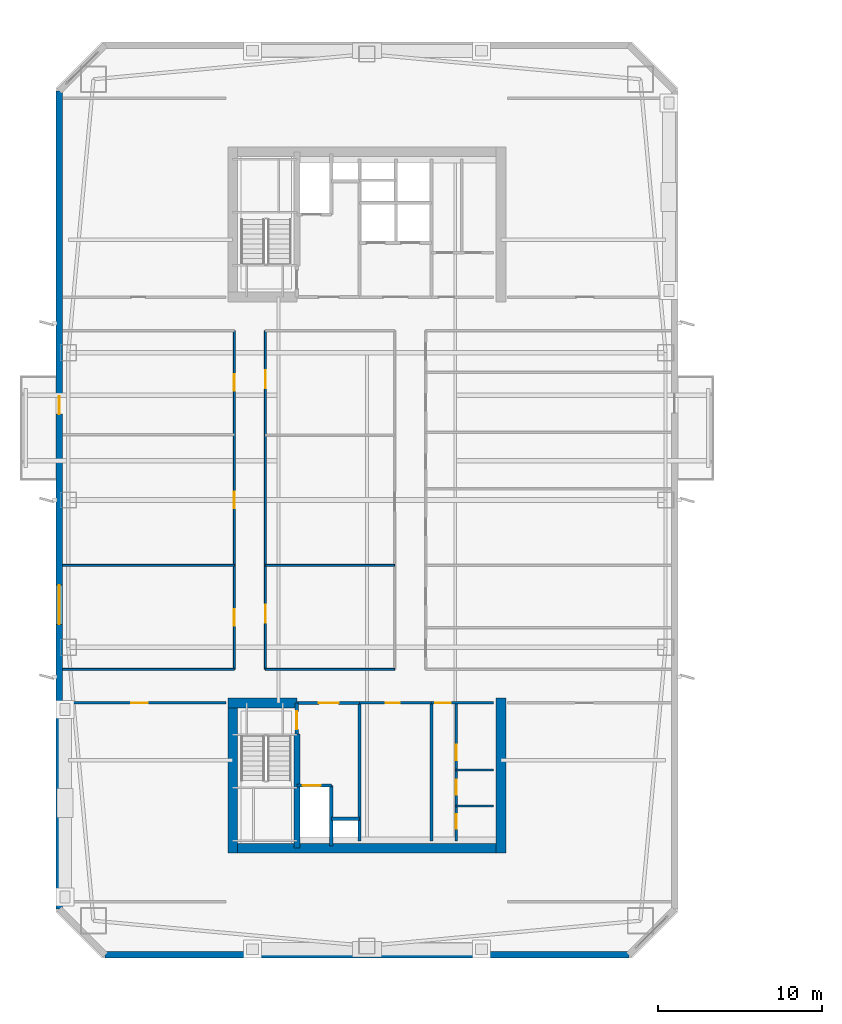
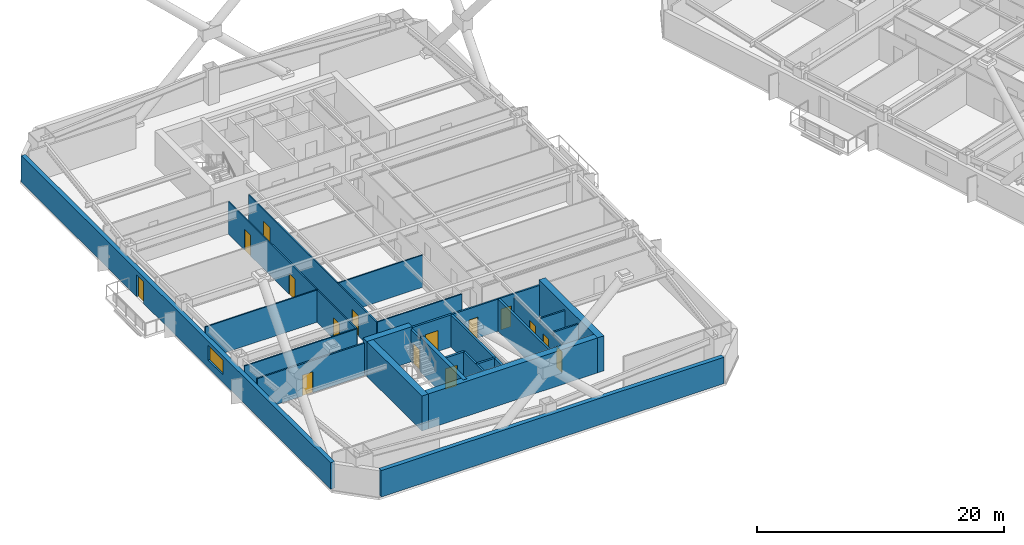
# One storey, part 12 of 24: 26 walls, 15 doors, 1 window, 16 openings.
"""IFC4 building model written with IfcOpenShell, lengths in metres."""

import ifcopenshell
import ifcopenshell.guid

model = None  # the IFC model being written
_history = None  # IfcOwnerHistory: only IFC2X3 demands one
_inside = {}  # id of a spatial element -> (the spatial element, [elements in it])
_under = {}  # id of a project, library or spatial element -> (it, [spatial elements below it])
_declared = {}  # id of a project -> (the project, [libraries it declares])
_typed = {}  # id of a type object -> (the type object, [elements of that type])
_made_of = {}  # id of a material, layer set ... -> (it, [elements and type objects made of it])


def new_model(schema):
    """Start an empty IFC model of exactly this schema.

    Asked for "IFC4X3", IfcOpenShell would pick the latest addendum, in which some entities
    have other attributes; the version numbers below select the first issue.
    IFC2X3 requires an IfcOwnerHistory on every rooted entity: one is made here for all.
    """
    global model, _history
    if schema == "IFC4X3":
        model = ifcopenshell.file(schema_version=(4, 3, 0, 0))
    else:
        model = ifcopenshell.file(schema=schema)
    _inside.clear()
    _under.clear()
    _declared.clear()
    _typed.clear()
    _made_of.clear()
    _history = None
    if model.schema == "IFC2X3":
        org = make("IfcOrganization", Name="unknown")
        user = make(
            "IfcPersonAndOrganization",
            ThePerson=make("IfcPerson", FamilyName="unknown"),
            TheOrganization=org,
        )
        app = make(
            "IfcApplication",
            ApplicationDeveloper=org,
            Version="unknown",
            ApplicationFullName="unknown",
            ApplicationIdentifier="unknown",
        )
        _history = make(
            "IfcOwnerHistory",
            OwningUser=user,
            OwningApplication=app,
            ChangeAction="ADDED",
            CreationDate=0,
        )
    return model


def make(cls, **values):
    """One entity of the class cls with the attributes given. An attribute that is None is left unset."""
    return model.create_entity(
        cls, **{name: value for name, value in values.items() if value is not None}
    )


def rooted(cls, **values):
    """An entity with a GlobalId (a new one), such as an element, a storey or a relation."""
    return make(cls, GlobalId=ifcopenshell.guid.new(), OwnerHistory=_history, **values)


def si_unit(unit_type, name, prefix=None):
    """IfcSIUnit, for example si_unit("LENGTHUNIT", "METRE", prefix="MILLI")."""
    return make("IfcSIUnit", UnitType=unit_type, Prefix=prefix, Name=name)


def assignment(units):
    """IfcUnitAssignment: the units of a project."""
    return None if units is None else make("IfcUnitAssignment", Units=units)


def point(xyz):
    """IfcCartesianPoint."""
    return None if xyz is None else make("IfcCartesianPoint", Coordinates=xyz)


def direction(xyz):
    """IfcDirection."""
    return None if xyz is None else make("IfcDirection", DirectionRatios=xyz)


def frame(location, z_axis=None, x_axis=None):
    """IfcAxis2Placement3D, a coordinate frame: its origin and axes. An axis left out is left unset."""
    return make(
        "IfcAxis2Placement3D",
        Location=point(location),
        Axis=direction(z_axis),
        RefDirection=direction(x_axis),
    )


def frame_2d(location, x_axis=None):
    """IfcAxis2Placement2D, a coordinate frame in the plane: its origin and x axis."""
    return make(
        "IfcAxis2Placement2D", Location=point(location), RefDirection=direction(x_axis)
    )


def origin():
    """The frame at (0, 0, 0) with its axes left unset."""
    return frame((0.0, 0.0, 0.0))


def place(relative_to, where):
    """IfcLocalPlacement: puts the frame where relative to a parent placement (None: the world)."""
    return make(
        "IfcLocalPlacement", PlacementRelTo=relative_to, RelativePlacement=where
    )


def context(
    kind, dimensions, precision=None, world=None, true_north=None, identifier=None
):
    """IfcGeometricRepresentationContext, for example the 3D "Model" context."""
    return make(
        "IfcGeometricRepresentationContext",
        ContextIdentifier=identifier,
        ContextType=kind,
        CoordinateSpaceDimension=dimensions,
        Precision=precision,
        WorldCoordinateSystem=world,
        TrueNorth=true_north,
    )


def subcontext(parent, identifier, kind, view, scale=None):
    """IfcGeometricRepresentationSubContext, for example "Body" below "Model"."""
    return make(
        "IfcGeometricRepresentationSubContext",
        ContextIdentifier=identifier,
        ContextType=kind,
        ParentContext=parent,
        TargetScale=scale,
        TargetView=view,
    )


def project(units=None, contexts=None):
    """IfcProject with its units and contexts."""
    return rooted(
        "IfcProject",
        Name="project",
        RepresentationContexts=contexts,
        UnitsInContext=assignment(units),
    )


def spatial(cls, under=None, at=None, **own):
    """A site, building, storey or space (cls), placed at a placement, below another one or the project."""
    s = rooted(cls, ObjectPlacement=at, **own)
    if under is not None:
        _under.setdefault(under.id(), (under, []))[1].append(s)
    return s


def profile(cls, at=None, kind="AREA", **sizes):
    """A parametric profile (cls). Its sizes go by their IFC names, for example OverallWidth=200.0."""
    return make(cls, ProfileType=kind, Position=at, **sizes)


def rectangle(**sizes):
    """IfcRectangleProfileDef."""
    return profile("IfcRectangleProfileDef", **sizes)


def extrude(swept, where, along, depth):
    """IfcExtrudedAreaSolid: the profile swept, set in the frame where, extruded along a direction by depth."""
    return make(
        "IfcExtrudedAreaSolid",
        SweptArea=swept,
        Position=where,
        ExtrudedDirection=direction(along),
        Depth=depth,
    )


def shape(context_of_items, identifier, shape_type, items):
    """IfcShapeRepresentation: the items that make up one representation, for example the "Body"."""
    return make(
        "IfcShapeRepresentation",
        ContextOfItems=context_of_items,
        RepresentationIdentifier=identifier,
        RepresentationType=shape_type,
        Items=items,
    )


def material(Name=None, Category=None):
    """IfcMaterial."""
    return make("IfcMaterial", Name=Name, Category=Category)


def layer(
    of_material, thickness, ventilated=None, Name=None, Category=None, Priority=None
):
    """IfcMaterialLayer: one layer of a wall or slab, of a material (None: an air gap)."""
    return make(
        "IfcMaterialLayer",
        Material=of_material,
        LayerThickness=thickness,
        IsVentilated=ventilated,
        Name=Name,
        Category=Category,
        Priority=Priority,
    )


def layer_set(layers, Name=None):
    """IfcMaterialLayerSet."""
    return make("IfcMaterialLayerSet", MaterialLayers=layers, LayerSetName=Name)


def made_of(thing, what):
    """Note that an element or type object is made of a material, layer set ...; save() writes the relation."""
    if what is not None:
        _made_of.setdefault(what.id(), (what, []))[1].append(thing)
    return thing


def type_object(cls, material=None, **own):
    """A type object (cls), such as IfcWallType, which elements share."""
    return made_of(rooted(cls, **own), material)


def element(
    cls,
    number,
    at=None,
    inside=None,
    cuts=None,
    type_object=None,
    material=None,
    context=None,
    identifier="Body",
    shape_type=None,
    held_by="IfcProductDefinitionShape",
    body=None,
    shapes=None,
    **own,
):
    """One element of the class cls, such as IfcWall. Its Tag is "e" and its number.

    at: its placement. inside: the storey or other place that contains it. cuts: it is an
    opening in that element (IfcRelVoidsElement). A single representation is given by context,
    identifier, shape_type and body (its items); several are given by shapes. held_by: the class
    of the entity that holds the representations. save() writes the other relations.
    """
    e = rooted(cls, Tag="e%d" % number, ObjectPlacement=at, **own)
    if body is not None:
        shapes = [shape(context, identifier, shape_type, body)]
    if shapes is not None:
        e.Representation = make(held_by, Representations=shapes)
    if inside is not None:
        _inside.setdefault(inside.id(), (inside, []))[1].append(e)
    if cuts is not None:
        rooted(
            "IfcRelVoidsElement", RelatingBuildingElement=cuts, RelatedOpeningElement=e
        )
    if type_object is not None:
        _typed.setdefault(type_object.id(), (type_object, []))[1].append(e)
    return made_of(e, material)


def fill(opening, filler):
    """IfcRelFillsElement: the door or window that sits in an opening."""
    return rooted(
        "IfcRelFillsElement",
        RelatingOpeningElement=opening,
        RelatedBuildingElement=filler,
    )


def aggregate(whole, parts):
    """IfcRelAggregates: a whole, such as a stair, and the parts it consists of."""
    return rooted("IfcRelAggregates", RelatingObject=whole, RelatedObjects=parts)


def save(model, path):
    """Write the relations noted so far, then the file.

    IfcRelAggregates (storeys below a building ...), IfcRelContainedInSpatialStructure (elements
    in a storey), IfcRelDefinesByType, IfcRelAssociatesMaterial and IfcRelDeclares: one each for
    every whole, place, type object, material and project.
    """
    for whole, parts in _under.values():
        aggregate(whole, parts)
    for where, things in _inside.values():
        rooted(
            "IfcRelContainedInSpatialStructure",
            RelatedElements=things,
            RelatingStructure=where,
        )
    for kind, things in _typed.values():
        rooted("IfcRelDefinesByType", RelatedObjects=things, RelatingType=kind)
    for what, things in _made_of.values():
        rooted("IfcRelAssociatesMaterial", RelatedObjects=things, RelatingMaterial=what)
    for by, libraries in _declared.values():
        rooted("IfcRelDeclares", RelatingContext=by, RelatedDefinitions=libraries)
    model.write(path)


model = new_model("IFC4")

# Units and contexts
model_context = context("Model", 3, precision=1e-05, world=origin(), true_north=direction((0.0, 1.0)))
body_context = subcontext(model_context, "Body", "Model", "MODEL_VIEW")
ifc_project = project(units=[si_unit("LENGTHUNIT", "METRE"), si_unit("AREAUNIT", "SQUARE_METRE"), si_unit("VOLUMEUNIT", "CUBIC_METRE"), si_unit("PLANEANGLEUNIT", "RADIAN"), si_unit("MASSUNIT", "GRAM", prefix="KILO")], contexts=[model_context])

# Site, building, storey
site_placement = place(None, origin())
site = spatial("IfcSite", under=ifc_project, at=site_placement, CompositionType="ELEMENT")
building_placement = place(site_placement, origin())
building = spatial("IfcBuilding", under=site, at=building_placement, Name="Qiaolan Cultural Towers", CompositionType="ELEMENT")
storey_placement = place(building_placement, frame((0.0, 0.0, 120.75)))
storey = spatial("IfcBuildingStorey", under=building, at=storey_placement, Name="L31", CompositionType="ELEMENT", Elevation=120.75)

# Walls
ifc_material_1 = material(Name="Concrete C50", Category="concrete")
ifc_layer_1 = layer(ifc_material_1, 0.35009765625)
ifc_layer_set_1 = layer_set([ifc_layer_1], Name="Concrete C50")
wall_type_1 = type_object("IfcWallType", Name="WL-CORE-350", PredefinedType="SHEAR", material=ifc_layer_set_1)
wall_1_placement = place(storey_placement, frame((25.719970703125, 19.699951171875, 0.0), z_axis=(0.0, 0.0, 1.0), x_axis=(0.0, -1.0, 0.0)))
element("IfcWall", 1, at=wall_1_placement, inside=storey, type_object=wall_type_1, Name="L31 T1-CS Stair Core Dividing Web", PredefinedType="SHEAR", context=body_context, shape_type="SweptSolid", body=[
    extrude(rectangle(XDim=6.97998046875, YDim=0.35009765625, at=frame_2d((3.489990234375, 0.0))), origin(), (0.0, 0.0, 1.0), 3.449951171875),
])
ifc_material_2 = material(Name="Concrete C55", Category="concrete")
ifc_layer_2 = layer(ifc_material_2, 0.60009765625)
ifc_layer_set_2 = layer_set([ifc_layer_2], Name="Concrete C55")
wall_type_2 = type_object("IfcWallType", Name="WL-CORE-600", PredefinedType="SHEAR", material=ifc_layer_set_2)
wall_2_placement = place(storey_placement, frame((21.5, 12.719970703125, 0.0), z_axis=(0.0, 0.0, 1.0), x_axis=(1.0, 0.0, 0.0)))
element("IfcWall", 2, at=wall_2_placement, inside=storey, type_object=wall_type_2, Name="L31 T1-CS Outer Core Shear Wall", PredefinedType="SHEAR", context=body_context, shape_type="SweptSolid", body=[
    extrude(rectangle(XDim=17.0, YDim=0.60009765625, at=frame_2d((8.5, 0.0))), origin(), (0.0, 0.0, 1.0), 3.449951171875),
])
for number, where, z_axis, x_axis, name in (
    (3, (21.800048828125, 21.89990234375, 0.0), (0.0, 0.0, 1.0), (0.0, -1.0, 0.0), "L31 T1-CS West Core Shear Wall"),
    (4, (38.199951171875, 21.89990234375, 0.0), (0.0, 0.0, 1.0), (0.0, -1.0, 0.0), "L31 T1-CS East Core Shear Wall"),
):
    element("IfcWall", number, at=place(storey_placement, frame(where, z_axis=z_axis, x_axis=x_axis)), inside=storey, type_object=wall_type_2, Name=name, PredefinedType="SHEAR", context=body_context, shape_type="SweptSolid", body=[
        extrude(rectangle(XDim=9.47998046875, YDim=0.60009765625, at=frame_2d((4.739990234375, 0.0))), origin(), (0.0, 0.0, 1.0), 3.449951171875),
    ])
wall_3_placement = place(storey_placement, frame((21.5, 21.60009765625, 0.0), z_axis=(0.0, 0.0, 1.0), x_axis=(1.0, 0.0, 0.0)))
element("IfcWall", 5, at=wall_3_placement, inside=storey, type_object=wall_type_2, Name="L31 T1-CS Stair Front Shear Wall", PredefinedType="SHEAR", context=body_context, shape_type="SweptSolid", body=[
    extrude(rectangle(XDim=4.219970703125, YDim=0.60009765625, at=frame_2d((2.10986328125, 0.0))), origin(), (0.0, 0.0, 1.0), 3.449951171875),
])

# Wall, openings, door, window
ifc_material_3 = material(Name="Precast Concrete C50 Honed Stone Pier", Category="masonry")
ifc_layer_3 = layer(ifc_material_3, 0.39990234375)
ifc_layer_set_3 = layer_set([ifc_layer_3], Name="Precast Concrete C50 Honed Stone Pier")
wall_type_3 = type_object("IfcWallType", Name="WL-EXT-PIER-400", PredefinedType="SOLIDWALL", material=ifc_layer_set_3)
wall_4_placement = place(storey_placement, frame((11.199951171875, 9.0, 0.0), z_axis=(0.0, 0.0, 1.0), x_axis=(0.0, 1.0, 0.0)))
wall_4 = element("IfcWall", 6, at=wall_4_placement, inside=storey, type_object=wall_type_3, Name="L31 West Tower Precast Pier Facade Wall F1", PredefinedType="SOLIDWALL", context=body_context, shape_type="SweptSolid", body=[
    extrude(rectangle(XDim=50.0, YDim=0.39990234375, at=frame_2d((25.0, 0.0))), origin(), (0.0, 0.0, 1.0), 2.610107421875),
])
opening_1_placement = place(wall_4_placement, frame((17.39990234375, 0.0, 0.75)))
opening_1 = element("IfcOpeningElement", 7, at=opening_1_placement, cuts=wall_4, Name="Opening W-02", PredefinedType="OPENING", context=body_context, shape_type="SweptSolid", body=[
    extrude(rectangle(XDim=2.39990234375, YDim=1.4599609375, at=frame_2d((1.199951171875, 0.72998046875))), frame((0.0, 0.2099609375, 0.0), z_axis=(0.0, -1.0, 0.0), x_axis=(1.0, 0.0, 0.0)), (0.0, 0.0, 1.0), 0.419921875),
])
opening_2_placement = place(wall_4_placement, frame((30.25, 0.0, 0.0)))
opening_2 = element("IfcOpeningElement", 8, at=opening_2_placement, cuts=wall_4, Name="Opening BD-01", PredefinedType="OPENING", context=body_context, shape_type="SweptSolid", body=[
    extrude(rectangle(XDim=1.10009765625, YDim=2.14990234375, at=frame_2d((0.550048828125, 1.074951171875))), frame((0.0, 0.2099609375, 0.0), z_axis=(0.0, -1.0, 0.0), x_axis=(1.0, 0.0, 0.0)), (0.0, 0.0, 1.0), 0.419921875),
])
ifc_material_4 = material(Name="Thermally Broken Aluminium Glazed Terrace Door", Category="aluminium")
door_type_1 = type_object("IfcDoorType", Name="DR-BAL-1100", OperationType="NOTDEFINED", PredefinedType="DOOR", material=ifc_material_4)
door_1_placement = place(opening_2_placement, origin())
door_1 = element("IfcDoor", 9, at=door_1_placement, inside=storey, type_object=door_type_1, Name="L31 T1 West Tree Balcony Door", OperationType="SINGLE_SWING_LEFT", OverallHeight=2.14990234375, OverallWidth=1.10009765625, PredefinedType="DOOR", context=body_context, shape_type="SweptSolid", body=[
    extrude(rectangle(XDim=1.10009765625, YDim=2.14990234375, at=frame_2d((0.550048828125, 1.074951171875))), frame((0.0, 0.02490234375, 0.0), z_axis=(0.0, -1.0, 0.0), x_axis=(1.0, 0.0, 0.0)), (0.0, 0.0, 1.0), 0.050048828125),
])
fill(opening_2, door_1)
ifc_material_5 = material(Name="Thermally Broken Aluminium Triple Low-E Glazing", Category="aluminium")
window_type = type_object("IfcWindowType", Name="WN-CHIC-2400", PartitioningType="SINGLE_PANEL", PredefinedType="WINDOW", material=ifc_material_5)
window_placement = place(opening_1_placement, origin())
window = element("IfcWindow", 10, at=window_placement, inside=storey, type_object=window_type, Name="L31 T1 W Chicago Bay Window 1", OverallHeight=1.4599609375, OverallWidth=2.39990234375, PartitioningType="TRIPLE_PANEL_VERTICAL", PredefinedType="WINDOW", context=body_context, shape_type="SweptSolid", body=[
    extrude(rectangle(XDim=2.39990234375, YDim=1.4599609375, at=frame_2d((1.199951171875, 0.72998046875))), frame((0.0, 0.030029296875, 0.0), z_axis=(0.0, -1.0, 0.0), x_axis=(1.0, 0.0, 0.0)), (0.0, 0.0, 1.0), 0.06005859375),
])
fill(opening_1, window)

# Wall
wall_5_placement = place(storey_placement, frame((46.0, 6.199951171875, 0.0), z_axis=(0.0, 0.0, 1.0), x_axis=(-1.0, 0.0, 0.0)))
element("IfcWall", 11, at=wall_5_placement, inside=storey, type_object=wall_type_3, Name="L31 West Tower Precast Pier Facade Wall F7", PredefinedType="SOLIDWALL", context=body_context, shape_type="SweptSolid", body=[
    extrude(rectangle(XDim=32.0, YDim=0.39990234375, at=frame_2d((16.0, 0.0))), origin(), (0.0, 0.0, 1.0), 2.610107421875),
])

# Wall, opening, door
ifc_material_6 = material(Name="Concrete C35 Fire Wall", Category="concrete")
ifc_layer_4 = layer(ifc_material_6, 0.199951171875)
ifc_layer_set_4 = layer_set([ifc_layer_4], Name="Concrete C35 Fire Wall")
wall_type_4 = type_object("IfcWallType", Name="WL-FIRE-200", PredefinedType="PARTITIONING", material=ifc_layer_set_4)
wall_6_placement = place(storey_placement, frame((25.719970703125, 21.60009765625, 0.0), z_axis=(0.0, 0.0, 1.0), x_axis=(0.0, -1.0, 0.0)))
wall_6 = element("IfcWall", 12, at=wall_6_placement, inside=storey, type_object=wall_type_4, Name="L31 T1-CS Smokeproof Stair Entry Wall", PredefinedType="PARTITIONING", context=body_context, shape_type="SweptSolid", body=[
    extrude(rectangle(XDim=1.900146484375, YDim=0.199951171875, at=frame_2d((0.9501953125, 0.0))), origin(), (0.0, 0.0, 1.0), 3.175048828125),
])
opening_3_placement = place(wall_6_placement, frame((0.52001953125, 0.0, 0.0)))
opening_3 = element("IfcOpeningElement", 13, at=opening_3_placement, cuts=wall_6, Name="Opening FD-04", PredefinedType="OPENING", context=body_context, shape_type="SweptSolid", body=[
    extrude(rectangle(XDim=1.10009765625, YDim=2.050048828125, at=frame_2d((0.550048828125, 1.02490234375))), frame((0.0, 0.10986328125, 0.0), z_axis=(0.0, -1.0, 0.0), x_axis=(1.0, 0.0, 0.0)), (0.0, 0.0, 1.0), 0.219970703125),
])
ifc_material_7 = material(Name="Galvanized Steel Command Fire Door", Category="steel")
door_type_2 = type_object("IfcDoorType", Name="DR-FD90-1100", OperationType="NOTDEFINED", PredefinedType="DOOR", material=ifc_material_7)
door_2_placement = place(opening_3_placement, origin())
door_2 = element("IfcDoor", 14, at=door_2_placement, inside=storey, type_object=door_type_2, Name="L31 ST-W1 Smokeproof Stair Fire Door", OperationType="SINGLE_SWING_LEFT", OverallHeight=2.050048828125, OverallWidth=1.10009765625, PredefinedType="DOOR", context=body_context, shape_type="SweptSolid", body=[
    extrude(rectangle(XDim=1.10009765625, YDim=2.050048828125, at=frame_2d((0.550048828125, 1.02490234375))), frame((0.0, 0.02490234375, 0.0), z_axis=(0.0, -1.0, 0.0), x_axis=(1.0, 0.0, 0.0)), (0.0, 0.0, 1.0), 0.050048828125),
])
fill(opening_3, door_2)

# Wall
wall_7_placement = place(storey_placement, frame((29.550048828125, 21.60009765625, 0.0), z_axis=(0.0, 0.0, 1.0), x_axis=(0.0, -1.0, 0.0)))
element("IfcWall", 15, at=wall_7_placement, inside=storey, type_object=wall_type_4, Name="L31 T1-CS Firefighting Zone Wall", PredefinedType="PARTITIONING", context=body_context, shape_type="SweptSolid", body=[
    extrude(rectangle(XDim=8.43017578125, YDim=0.199951171875, at=frame_2d((4.215087890625, 0.0))), origin(), (0.0, 0.0, 1.0), 3.175048828125),
])

# Wall, opening, door
wall_8_placement = place(storey_placement, frame((25.719970703125, 21.60009765625, 0.0), z_axis=(0.0, 0.0, 1.0), x_axis=(1.0, 0.0, 0.0)))
wall_8 = element("IfcWall", 16, at=wall_8_placement, inside=storey, type_object=wall_type_4, Name="L31 T1-CS Firefighting Lobby Front Wall", PredefinedType="PARTITIONING", context=body_context, shape_type="SweptSolid", body=[
    extrude(rectangle(XDim=3.830078125, YDim=0.199951171875, at=frame_2d((1.9150390625, 0.0))), origin(), (0.0, 0.0, 1.0), 3.175048828125),
])
opening_4_placement = place(wall_8_placement, frame((1.35009765625, 0.0, 0.0)))
opening_4 = element("IfcOpeningElement", 17, at=opening_4_placement, cuts=wall_8, Name="Opening FD-03", PredefinedType="OPENING", context=body_context, shape_type="SweptSolid", body=[
    extrude(rectangle(XDim=1.199951171875, YDim=2.050048828125, at=frame_2d((0.60009765625, 1.02490234375))), frame((0.0, 0.10986328125, 0.0), z_axis=(0.0, -1.0, 0.0), x_axis=(1.0, 0.0, 0.0)), (0.0, 0.0, 1.0), 0.219970703125),
])
ifc_material_8 = material(Name="Galvanized Steel Smokeproof Lobby Fire Door", Category="steel")
door_type_3 = type_object("IfcDoorType", Name="DR-FD90-1200", OperationType="NOTDEFINED", PredefinedType="DOOR", material=ifc_material_8)
door_3_placement = place(opening_4_placement, origin())
door_3 = element("IfcDoor", 18, at=door_3_placement, inside=storey, type_object=door_type_3, Name="L31 FFL-W1 Firefighting Lobby Fire Door", OperationType="SINGLE_SWING_LEFT", OverallHeight=2.050048828125, OverallWidth=1.199951171875, PredefinedType="DOOR", context=body_context, shape_type="SweptSolid", body=[
    extrude(rectangle(XDim=1.199951171875, YDim=2.050048828125, at=frame_2d((0.60009765625, 1.02490234375))), frame((0.0, 0.02490234375, 0.0), z_axis=(0.0, -1.0, 0.0), x_axis=(1.0, 0.0, 0.0)), (0.0, 0.0, 1.0), 0.050048828125),
])
fill(opening_4, door_3)

wall_9_placement = place(storey_placement, frame((25.719970703125, 16.550048828125, 0.0), z_axis=(0.0, 0.0, 1.0), x_axis=(1.0, 0.0, 0.0)))
wall_9 = element("IfcWall", 19, at=wall_9_placement, inside=storey, type_object=wall_type_4, Name="L31 T1-CS Firefighting Shaft Front Wall", PredefinedType="PARTITIONING", context=body_context, shape_type="SweptSolid", body=[
    extrude(rectangle(XDim=2.10009765625, YDim=0.199951171875, at=frame_2d((1.050048828125, 0.0))), origin(), (0.0, 0.0, 1.0), 3.175048828125),
])
opening_5_placement = place(wall_9_placement, frame((0.35009765625, 0.0, 0.0)))
opening_5 = element("IfcOpeningElement", 20, at=opening_5_placement, cuts=wall_9, Name="Opening LD-01", PredefinedType="OPENING", context=body_context, shape_type="SweptSolid", body=[
    extrude(rectangle(XDim=1.10009765625, YDim=2.050048828125, at=frame_2d((0.550048828125, 1.02490234375))), frame((0.0, 0.10986328125, 0.0), z_axis=(0.0, -1.0, 0.0), x_axis=(1.0, 0.0, 0.0)), (0.0, 0.0, 1.0), 0.219970703125),
])
ifc_material_9 = material(Name="Brushed Stainless Steel S30408 Centre-Parting Lift Landing Door", Category="steel")
door_type_4 = type_object("IfcDoorType", Name="DR-LIFT-1100", OperationType="NOTDEFINED", PredefinedType="DOOR", material=ifc_material_9)
door_4_placement = place(opening_5_placement, origin())
door_4 = element("IfcDoor", 21, at=door_4_placement, inside=storey, type_object=door_type_4, Name="L31 FFL-W1 Firefighting Lift Landing Door", OperationType="DOUBLE_DOOR_SLIDING", OverallHeight=2.050048828125, OverallWidth=1.10009765625, PredefinedType="DOOR", context=body_context, shape_type="SweptSolid", body=[
    extrude(rectangle(XDim=1.10009765625, YDim=2.050048828125, at=frame_2d((0.550048828125, 1.02490234375))), frame((0.0, 0.02490234375, 0.0), z_axis=(0.0, -1.0, 0.0), x_axis=(1.0, 0.0, 0.0)), (0.0, 0.0, 1.0), 0.050048828125),
])
fill(opening_5, door_4)

# Walls
wall_10_placement = place(storey_placement, frame((27.820068359375, 16.550048828125, 0.0), z_axis=(0.0, 0.0, 1.0), x_axis=(0.0, -1.0, 0.0)))
element("IfcWall", 22, at=wall_10_placement, inside=storey, type_object=wall_type_4, Name="L31 T1-CS Firefighting Hoistway East Wall", PredefinedType="PARTITIONING", context=body_context, shape_type="SweptSolid", body=[
    extrude(rectangle(XDim=3.699951171875, YDim=0.199951171875, at=frame_2d((1.85009765625, 0.0))), origin(), (0.0, 0.0, 1.0), 3.175048828125),
])
wall_11_placement = place(storey_placement, frame((27.820068359375, 14.52001953125, 0.0), z_axis=(0.0, 0.0, 1.0), x_axis=(1.0, 0.0, 0.0)))
element("IfcWall", 23, at=wall_11_placement, inside=storey, type_object=wall_type_4, Name="L31 T1-CS Pressurization Shaft Front Wall", PredefinedType="PARTITIONING", context=body_context, shape_type="SweptSolid", body=[
    extrude(rectangle(XDim=1.72998046875, YDim=0.199951171875, at=frame_2d((0.864990234375, 0.0))), origin(), (0.0, 0.0, 1.0), 3.175048828125),
])
wall_12_placement = place(storey_placement, frame((33.949951171875, 21.60009765625, 0.0), z_axis=(0.0, 0.0, 1.0), x_axis=(0.0, -1.0, 0.0)))
element("IfcWall", 24, at=wall_12_placement, inside=storey, type_object=wall_type_4, Name="L31 T1-CS Lift Core East Wall", PredefinedType="PARTITIONING", context=body_context, shape_type="SweptSolid", body=[
    extrude(rectangle(XDim=8.43017578125, YDim=0.199951171875, at=frame_2d((4.215087890625, 0.0))), origin(), (0.0, 0.0, 1.0), 3.175048828125),
])
ifc_material_10 = material(Name="Gypsum Stud Acoustic Partition", Category="gypsum")
ifc_layer_5 = layer(ifc_material_10, 0.1201171875)
ifc_layer_set_5 = layer_set([ifc_layer_5], Name="Gypsum Stud Acoustic Partition")
wall_type_5 = type_object("IfcWallType", Name="WL-PART-120", PredefinedType="PARTITIONING", material=ifc_layer_set_5)
wall_13_placement = place(storey_placement, frame((11.39990234375, 23.64990234375, 0.0), z_axis=(0.0, 0.0, 1.0), x_axis=(1.0, 0.0, 0.0)))
element("IfcWall", 25, at=wall_13_placement, inside=storey, type_object=wall_type_5, Name="L31 T1 Interior Wall", PredefinedType="PARTITIONING", context=body_context, shape_type="SweptSolid", body=[
    extrude(rectangle(XDim=10.5, YDim=0.1201171875, at=frame_2d((5.25, 0.0))), origin(), (0.0, 0.0, 1.0), 3.175048828125),
])
wall_14_placement = place(storey_placement, frame((23.800048828125, 23.64990234375, 0.0), z_axis=(0.0, 0.0, 1.0), x_axis=(1.0, 0.0, 0.0)))
element("IfcWall", 26, at=wall_14_placement, inside=storey, type_object=wall_type_5, Name="L31 T1 Interior Wall", PredefinedType="PARTITIONING", context=body_context, shape_type="SweptSolid", body=[
    extrude(rectangle(XDim=7.89990234375, YDim=0.1201171875, at=frame_2d((3.949951171875, 0.0))), origin(), (0.0, 0.0, 1.0), 3.175048828125),
])

# Wall, openings, doors
wall_15_placement = place(storey_placement, frame((21.89990234375, 23.64990234375, 0.0), z_axis=(0.0, 0.0, 1.0), x_axis=(0.0, 1.0, 0.0)))
wall_15 = element("IfcWall", 27, at=wall_15_placement, inside=storey, type_object=wall_type_5, Name="L31 T1 Interior Wall", PredefinedType="PARTITIONING", context=body_context, shape_type="SweptSolid", body=[
    extrude(rectangle(XDim=20.7001953125, YDim=0.1201171875, at=frame_2d((10.35009765625, 0.0))), origin(), (0.0, 0.0, 1.0), 3.175048828125),
])
opening_6_placement = place(wall_15_placement, frame((2.675048828125, 0.0, 0.0)))
opening_6 = element("IfcOpeningElement", 28, at=opening_6_placement, cuts=wall_15, Name="Opening ID-04", PredefinedType="OPENING", context=body_context, shape_type="SweptSolid", body=[
    extrude(rectangle(XDim=1.0, YDim=2.050048828125, at=frame_2d((0.5, 1.02490234375))), frame((0.0, 0.070068359375, 0.0), z_axis=(0.0, -1.0, 0.0), x_axis=(1.0, 0.0, 0.0)), (0.0, 0.0, 1.0), 0.14013671875),
])
opening_7_placement = place(wall_15_placement, frame((9.85009765625, 0.0, 0.0)))
opening_7 = element("IfcOpeningElement", 29, at=opening_7_placement, cuts=wall_15, Name="Opening ID-04", PredefinedType="OPENING", context=body_context, shape_type="SweptSolid", body=[
    extrude(rectangle(XDim=1.0, YDim=2.050048828125, at=frame_2d((0.5, 1.02490234375))), frame((0.0, 0.070068359375, 0.0), z_axis=(0.0, -1.0, 0.0), x_axis=(1.0, 0.0, 0.0)), (0.0, 0.0, 1.0), 0.14013671875),
])
opening_8_placement = place(wall_15_placement, frame((17.02490234375, 0.0, 0.0)))
opening_8 = element("IfcOpeningElement", 30, at=opening_8_placement, cuts=wall_15, Name="Opening ID-04", PredefinedType="OPENING", context=body_context, shape_type="SweptSolid", body=[
    extrude(rectangle(XDim=1.0, YDim=2.050048828125, at=frame_2d((0.5, 1.02490234375))), frame((0.0, 0.070068359375, 0.0), z_axis=(0.0, -1.0, 0.0), x_axis=(1.0, 0.0, 0.0)), (0.0, 0.0, 1.0), 0.14013671875),
])
ifc_material_11 = material(Name="Oak Veneer Acoustic Office Door", Category="timber")
door_type_5 = type_object("IfcDoorType", Name="DR-INT-1000", OperationType="NOTDEFINED", PredefinedType="DOOR", material=ifc_material_11)
door_5_placement = place(opening_6_placement, origin())
door_5 = element("IfcDoor", 31, at=door_5_placement, inside=storey, type_object=door_type_5, Name="L31 T1 Publication Showroom Door", OperationType="SINGLE_SWING_LEFT", OverallHeight=2.050048828125, OverallWidth=1.0, PredefinedType="DOOR", context=body_context, shape_type="SweptSolid", body=[
    extrude(rectangle(XDim=1.0, YDim=2.050048828125, at=frame_2d((0.5, 1.02490234375))), frame((0.0, 0.02490234375, 0.0), z_axis=(0.0, -1.0, 0.0), x_axis=(1.0, 0.0, 0.0)), (0.0, 0.0, 1.0), 0.050048828125),
])
fill(opening_6, door_5)
door_6_placement = place(opening_7_placement, origin())
door_6 = element("IfcDoor", 32, at=door_6_placement, inside=storey, type_object=door_type_5, Name="L31 T1 Publication Showroom Door", OperationType="SINGLE_SWING_RIGHT", OverallHeight=2.050048828125, OverallWidth=1.0, PredefinedType="DOOR", context=body_context, shape_type="SweptSolid", body=[
    extrude(rectangle(XDim=1.0, YDim=2.050048828125, at=frame_2d((0.5, 1.02490234375))), frame((0.0, 0.02490234375, 0.0), z_axis=(0.0, -1.0, 0.0), x_axis=(1.0, 0.0, 0.0)), (0.0, 0.0, 1.0), 0.050048828125),
])
fill(opening_7, door_6)
door_7_placement = place(opening_8_placement, origin())
door_7 = element("IfcDoor", 33, at=door_7_placement, inside=storey, type_object=door_type_5, Name="L31 T1 Cataloguing Kitchenette Door", OperationType="SINGLE_SWING_LEFT", OverallHeight=2.050048828125, OverallWidth=1.0, PredefinedType="DOOR", context=body_context, shape_type="SweptSolid", body=[
    extrude(rectangle(XDim=1.0, YDim=2.050048828125, at=frame_2d((0.5, 1.02490234375))), frame((0.0, 0.02490234375, 0.0), z_axis=(0.0, -1.0, 0.0), x_axis=(1.0, 0.0, 0.0)), (0.0, 0.0, 1.0), 0.050048828125),
])
fill(opening_8, door_7)

wall_16_placement = place(storey_placement, frame((23.800048828125, 23.64990234375, 0.0), z_axis=(0.0, 0.0, 1.0), x_axis=(0.0, 1.0, 0.0)))
wall_16 = element("IfcWall", 34, at=wall_16_placement, inside=storey, type_object=wall_type_5, Name="L31 T1 Interior Wall", PredefinedType="PARTITIONING", context=body_context, shape_type="SweptSolid", body=[
    extrude(rectangle(XDim=20.7001953125, YDim=0.1201171875, at=frame_2d((10.35009765625, 0.0))), origin(), (0.0, 0.0, 1.0), 3.175048828125),
])
opening_9_placement = place(wall_16_placement, frame((2.857421875, 0.0, 0.0)))
opening_9 = element("IfcOpeningElement", 35, at=opening_9_placement, cuts=wall_16, Name="Opening ID-03", PredefinedType="OPENING", context=body_context, shape_type="SweptSolid", body=[
    extrude(rectangle(XDim=1.10009765625, YDim=2.050048828125, at=frame_2d((0.550048828125, 1.02490234375))), frame((0.0, 0.070068359375, 0.0), z_axis=(0.0, -1.0, 0.0), x_axis=(1.0, 0.0, 0.0)), (0.0, 0.0, 1.0), 0.14013671875),
])
opening_10_placement = place(wall_16_placement, frame((17.188720703125, 0.0, 0.0)))
opening_10 = element("IfcOpeningElement", 36, at=opening_10_placement, cuts=wall_16, Name="Opening ID-03", PredefinedType="OPENING", context=body_context, shape_type="SweptSolid", body=[
    extrude(rectangle(XDim=1.10009765625, YDim=2.050048828125, at=frame_2d((0.550048828125, 1.02490234375))), frame((0.0, 0.070068359375, 0.0), z_axis=(0.0, -1.0, 0.0), x_axis=(1.0, 0.0, 0.0)), (0.0, 0.0, 1.0), 0.14013671875),
])
ifc_material_12 = material(Name="Oak Veneer Solid-Core Boardroom Door", Category="timber")
door_type_6 = type_object("IfcDoorType", Name="DR-INT-1100", OperationType="NOTDEFINED", PredefinedType="DOOR", material=ifc_material_12)
door_8_placement = place(opening_9_placement, origin())
door_8 = element("IfcDoor", 37, at=door_8_placement, inside=storey, type_object=door_type_6, Name="L31 T1 Central Boardroom Door", OperationType="SINGLE_SWING_LEFT", OverallHeight=2.050048828125, OverallWidth=1.10009765625, PredefinedType="DOOR", context=body_context, shape_type="SweptSolid", body=[
    extrude(rectangle(XDim=1.10009765625, YDim=2.050048828125, at=frame_2d((0.550048828125, 1.02490234375))), frame((0.0, 0.02490234375, 0.0), z_axis=(0.0, -1.0, 0.0), x_axis=(1.0, 0.0, 0.0)), (0.0, 0.0, 1.0), 0.050048828125),
])
fill(opening_9, door_8)
door_9_placement = place(opening_10_placement, origin())
door_9 = element("IfcDoor", 38, at=door_9_placement, inside=storey, type_object=door_type_6, Name="L31 T1 Central Archive Room Door", OperationType="SINGLE_SWING_RIGHT", OverallHeight=2.050048828125, OverallWidth=1.10009765625, PredefinedType="DOOR", context=body_context, shape_type="SweptSolid", body=[
    extrude(rectangle(XDim=1.10009765625, YDim=2.050048828125, at=frame_2d((0.550048828125, 1.02490234375))), frame((0.0, 0.02490234375, 0.0), z_axis=(0.0, -1.0, 0.0), x_axis=(1.0, 0.0, 0.0)), (0.0, 0.0, 1.0), 0.050048828125),
])
fill(opening_10, door_9)

# Walls
wall_17_placement = place(storey_placement, frame((23.800048828125, 30.0, 0.0), z_axis=(0.0, 0.0, 1.0), x_axis=(1.0, 0.0, 0.0)))
element("IfcWall", 39, at=wall_17_placement, inside=storey, type_object=wall_type_5, Name="L31 T1 Interior Wall", PredefinedType="PARTITIONING", context=body_context, shape_type="SweptSolid", body=[
    extrude(rectangle(XDim=7.89990234375, YDim=0.1201171875, at=frame_2d((3.949951171875, 0.0))), origin(), (0.0, 0.0, 1.0), 3.175048828125),
])
wall_18_placement = place(storey_placement, frame((11.39990234375, 30.0, 0.0), z_axis=(0.0, 0.0, 1.0), x_axis=(1.0, 0.0, 0.0)))
element("IfcWall", 40, at=wall_18_placement, inside=storey, type_object=wall_type_5, Name="L31 T1 Interior Wall", PredefinedType="PARTITIONING", context=body_context, shape_type="SweptSolid", body=[
    extrude(rectangle(XDim=10.5, YDim=0.1201171875, at=frame_2d((5.25, 0.0))), origin(), (0.0, 0.0, 1.0), 3.175048828125),
])

# Wall, opening, door
ifc_material_13 = material(Name="Autoclaved Aerated Concrete Block B06", Category="concrete")
ifc_layer_6 = layer(ifc_material_13, 0.14990234375)
ifc_layer_set_6 = layer_set([ifc_layer_6], Name="Autoclaved Aerated Concrete Block B06")
wall_type_6 = type_object("IfcWallType", Name="WL-PART-150", PredefinedType="PARTITIONING", material=ifc_layer_set_6)
wall_19_placement = place(storey_placement, frame((29.550048828125, 21.60009765625, 0.0), z_axis=(0.0, 0.0, 1.0), x_axis=(1.0, 0.0, 0.0)))
wall_19 = element("IfcWall", 41, at=wall_19_placement, inside=storey, type_object=wall_type_6, Name="L31 T1-CS Reclaimed Core Room Front Wall", PredefinedType="PARTITIONING", context=body_context, shape_type="SweptSolid", body=[
    extrude(rectangle(XDim=4.39990234375, YDim=0.14990234375, at=frame_2d((2.199951171875, 0.0))), origin(), (0.0, 0.0, 1.0), 3.175048828125),
])
opening_11_placement = place(wall_19_placement, frame((1.60009765625, 0.0, 0.0)))
opening_11 = element("IfcOpeningElement", 42, at=opening_11_placement, cuts=wall_19, Name="Opening ID-09", PredefinedType="OPENING", context=body_context, shape_type="SweptSolid", body=[
    extrude(rectangle(XDim=0.85009765625, YDim=2.050048828125, at=frame_2d((0.425048828125, 1.02490234375))), frame((0.0, 0.0849609375, 0.0), z_axis=(0.0, -1.0, 0.0), x_axis=(1.0, 0.0, 0.0)), (0.0, 0.0, 1.0), 0.169921875),
])
ifc_material_14 = material(Name="Moisture-Resistant Laminate Utility Door", Category="timber")
door_type_7 = type_object("IfcDoorType", Name="DR-INT-850", OperationType="NOTDEFINED", PredefinedType="DOOR", material=ifc_material_14)
door_10_placement = place(opening_11_placement, origin())
door_10 = element("IfcDoor", 43, at=door_10_placement, inside=storey, type_object=door_type_7, Name="L31 Reclaimed Archive Room Door", OperationType="SINGLE_SWING_LEFT", OverallHeight=2.050048828125, OverallWidth=0.85009765625, PredefinedType="DOOR", context=body_context, shape_type="SweptSolid", body=[
    extrude(rectangle(XDim=0.85009765625, YDim=2.050048828125, at=frame_2d((0.425048828125, 1.02490234375))), frame((0.0, 0.02490234375, 0.0), z_axis=(0.0, -1.0, 0.0), x_axis=(1.0, 0.0, 0.0)), (0.0, 0.0, 1.0), 0.050048828125),
])
fill(opening_11, door_10)

wall_20_placement = place(storey_placement, frame((33.949951171875, 21.60009765625, 0.0), z_axis=(0.0, 0.0, 1.0), x_axis=(1.0, 0.0, 0.0)))
wall_20 = element("IfcWall", 44, at=wall_20_placement, inside=storey, type_object=wall_type_6, Name="L31 T1-CS Sanitary Core Front Wall", PredefinedType="PARTITIONING", context=body_context, shape_type="SweptSolid", body=[
    extrude(rectangle(XDim=3.800048828125, YDim=0.14990234375, at=frame_2d((1.89990234375, 0.0))), origin(), (0.0, 0.0, 1.0), 3.175048828125),
])
opening_12_placement = place(wall_20_placement, frame((0.219970703125, 0.0, 0.0)))
opening_12 = element("IfcOpeningElement", 45, at=opening_12_placement, cuts=wall_20, Name="Opening ID-05", PredefinedType="OPENING", context=body_context, shape_type="SweptSolid", body=[
    extrude(rectangle(XDim=0.949951171875, YDim=2.050048828125, at=frame_2d((0.47509765625, 1.02490234375))), frame((0.0, 0.0849609375, 0.0), z_axis=(0.0, -1.0, 0.0), x_axis=(1.0, 0.0, 0.0)), (0.0, 0.0, 1.0), 0.169921875),
])
ifc_material_15 = material(Name="Fire-Rated Laminate Accessible Core Door", Category="timber")
door_type_8 = type_object("IfcDoorType", Name="DR-INT-950", OperationType="NOTDEFINED", PredefinedType="DOOR", material=ifc_material_15)
door_11_placement = place(opening_12_placement, origin())
door_11 = element("IfcDoor", 46, at=door_11_placement, inside=storey, type_object=door_type_8, Name="L31 Sanitary Vestibule Door", OperationType="SINGLE_SWING_LEFT", OverallHeight=2.050048828125, OverallWidth=0.949951171875, PredefinedType="DOOR", context=body_context, shape_type="SweptSolid", body=[
    extrude(rectangle(XDim=0.949951171875, YDim=2.050048828125, at=frame_2d((0.47509765625, 1.02490234375))), frame((0.0, 0.02490234375, 0.0), z_axis=(0.0, -1.0, 0.0), x_axis=(1.0, 0.0, 0.0)), (0.0, 0.0, 1.0), 0.050048828125),
])
fill(opening_12, door_11)

# Wall, openings, doors
wall_21_placement = place(storey_placement, frame((35.449951171875, 21.60009765625, 0.0), z_axis=(0.0, 0.0, 1.0), x_axis=(0.0, -1.0, 0.0)))
wall_21 = element("IfcWall", 47, at=wall_21_placement, inside=storey, type_object=wall_type_6, Name="L31 T1-CS Sanitary Vestibule Wall", PredefinedType="PARTITIONING", context=body_context, shape_type="SweptSolid", body=[
    extrude(rectangle(XDim=8.43017578125, YDim=0.14990234375, at=frame_2d((4.215087890625, 0.0))), origin(), (0.0, 0.0, 1.0), 2.81494140625),
])
opening_13_placement = place(wall_21_placement, frame((2.550048828125, 0.0, 0.0)))
opening_13 = element("IfcOpeningElement", 48, at=opening_13_placement, cuts=wall_21, Name="Opening ID-05", PredefinedType="OPENING", context=body_context, shape_type="SweptSolid", body=[
    extrude(rectangle(XDim=0.949951171875, YDim=2.050048828125, at=frame_2d((0.47509765625, 1.02490234375))), frame((0.0, 0.0849609375, 0.0), z_axis=(0.0, -1.0, 0.0), x_axis=(1.0, 0.0, 0.0)), (0.0, 0.0, 1.0), 0.169921875),
])
opening_14_placement = place(wall_21_placement, frame((4.699951171875, 0.0, 0.0)))
opening_14 = element("IfcOpeningElement", 49, at=opening_14_placement, cuts=wall_21, Name="Opening ID-06", PredefinedType="OPENING", context=body_context, shape_type="SweptSolid", body=[
    extrude(rectangle(XDim=0.89990234375, YDim=2.050048828125, at=frame_2d((0.449951171875, 1.02490234375))), frame((0.0, 0.0849609375, 0.0), z_axis=(0.0, -1.0, 0.0), x_axis=(1.0, 0.0, 0.0)), (0.0, 0.0, 1.0), 0.169921875),
])
opening_15_placement = place(wall_21_placement, frame((6.800048828125, 0.0, 0.0)))
opening_15 = element("IfcOpeningElement", 50, at=opening_15_placement, cuts=wall_21, Name="Opening ID-06", PredefinedType="OPENING", context=body_context, shape_type="SweptSolid", body=[
    extrude(rectangle(XDim=0.89990234375, YDim=2.050048828125, at=frame_2d((0.449951171875, 1.02490234375))), frame((0.0, 0.0849609375, 0.0), z_axis=(0.0, -1.0, 0.0), x_axis=(1.0, 0.0, 0.0)), (0.0, 0.0, 1.0), 0.169921875),
])
ifc_material_16 = material(Name="Fire-Rated Laminate Core Service Door", Category="timber")
door_type_9 = type_object("IfcDoorType", Name="DR-INT-900", OperationType="NOTDEFINED", PredefinedType="DOOR", material=ifc_material_16)
door_12_placement = place(opening_14_placement, origin())
door_12 = element("IfcDoor", 51, at=door_12_placement, inside=storey, type_object=door_type_9, Name="L31 Men Washroom Door", OperationType="SINGLE_SWING_LEFT", OverallHeight=2.050048828125, OverallWidth=0.89990234375, PredefinedType="DOOR", context=body_context, shape_type="SweptSolid", body=[
    extrude(rectangle(XDim=0.89990234375, YDim=2.050048828125, at=frame_2d((0.449951171875, 1.02490234375))), frame((0.0, 0.02490234375, 0.0), z_axis=(0.0, -1.0, 0.0), x_axis=(1.0, 0.0, 0.0)), (0.0, 0.0, 1.0), 0.050048828125),
])
fill(opening_14, door_12)
door_13_placement = place(opening_15_placement, origin())
door_13 = element("IfcDoor", 52, at=door_13_placement, inside=storey, type_object=door_type_9, Name="L31 Women Washroom Door", OperationType="SINGLE_SWING_RIGHT", OverallHeight=2.050048828125, OverallWidth=0.89990234375, PredefinedType="DOOR", context=body_context, shape_type="SweptSolid", body=[
    extrude(rectangle(XDim=0.89990234375, YDim=2.050048828125, at=frame_2d((0.449951171875, 1.02490234375))), frame((0.0, 0.02490234375, 0.0), z_axis=(0.0, -1.0, 0.0), x_axis=(1.0, 0.0, 0.0)), (0.0, 0.0, 1.0), 0.050048828125),
])
fill(opening_15, door_13)
door_14_placement = place(opening_13_placement, origin())
door_14 = element("IfcDoor", 53, at=door_14_placement, inside=storey, type_object=door_type_8, Name="L31 Accessible Family Washroom Door", OperationType="SINGLE_SWING_LEFT", OverallHeight=2.050048828125, OverallWidth=0.949951171875, PredefinedType="DOOR", context=body_context, shape_type="SweptSolid", body=[
    extrude(rectangle(XDim=0.949951171875, YDim=2.050048828125, at=frame_2d((0.47509765625, 1.02490234375))), frame((0.0, 0.02490234375, 0.0), z_axis=(0.0, -1.0, 0.0), x_axis=(1.0, 0.0, 0.0)), (0.0, 0.0, 1.0), 0.050048828125),
])
fill(opening_13, door_14)

# Walls
for number, where, z_axis, x_axis, name in (
    (54, (35.449951171875, 17.5, 0.0), (0.0, 0.0, 1.0), (1.0, 0.0, 0.0), "L31 T1-CS Restroom Split Wall 1"),
    (55, (35.449951171875, 15.300048828125, 0.0), (0.0, 0.0, 1.0), (1.0, 0.0, 0.0), "L31 T1-CS Restroom Split Wall 2"),
):
    element("IfcWall", number, at=place(storey_placement, frame(where, z_axis=z_axis, x_axis=x_axis)), inside=storey, type_object=wall_type_6, Name=name, PredefinedType="PARTITIONING", context=body_context, shape_type="SweptSolid", body=[
        extrude(rectangle(XDim=2.300048828125, YDim=0.14990234375, at=frame_2d((1.14990234375, 0.0))), origin(), (0.0, 0.0, 1.0), 3.175048828125),
    ])

# Wall, opening, door
wall_22_placement = place(storey_placement, frame((11.39990234375, 21.60009765625, 0.0), z_axis=(0.0, 0.0, 1.0), x_axis=(1.0, 0.0, 0.0)))
wall_22 = element("IfcWall", 56, at=wall_22_placement, inside=storey, type_object=wall_type_6, Name="L31 T1 Flank Front FLK-SW", PredefinedType="PARTITIONING", context=body_context, shape_type="SweptSolid", body=[
    extrude(rectangle(XDim=10.0, YDim=0.14990234375, at=frame_2d((5.0, 0.0))), origin(), (0.0, 0.0, 1.0), 3.175048828125),
])
opening_16_placement = place(wall_22_placement, frame((4.199951171875, 0.0, 0.0)))
opening_16 = element("IfcOpeningElement", 57, at=opening_16_placement, cuts=wall_22, Name="Opening ID-04", PredefinedType="OPENING", context=body_context, shape_type="SweptSolid", body=[
    extrude(rectangle(XDim=1.0, YDim=2.050048828125, at=frame_2d((0.5, 1.02490234375))), frame((0.0, 0.0849609375, 0.0), z_axis=(0.0, -1.0, 0.0), x_axis=(1.0, 0.0, 0.0)), (0.0, 0.0, 1.0), 0.169921875),
])
door_15_placement = place(opening_16_placement, origin())
door_15 = element("IfcDoor", 58, at=door_15_placement, inside=storey, type_object=door_type_5, Name="L31 T1 Corner Studio Door", OperationType="SINGLE_SWING_LEFT", OverallHeight=2.050048828125, OverallWidth=1.0, PredefinedType="DOOR", context=body_context, shape_type="SweptSolid", body=[
    extrude(rectangle(XDim=1.0, YDim=2.050048828125, at=frame_2d((0.5, 1.02490234375))), frame((0.0, 0.02490234375, 0.0), z_axis=(0.0, -1.0, 0.0), x_axis=(1.0, 0.0, 0.0)), (0.0, 0.0, 1.0), 0.050048828125),
])
fill(opening_16, door_15)

save(model, "model.ifc")
